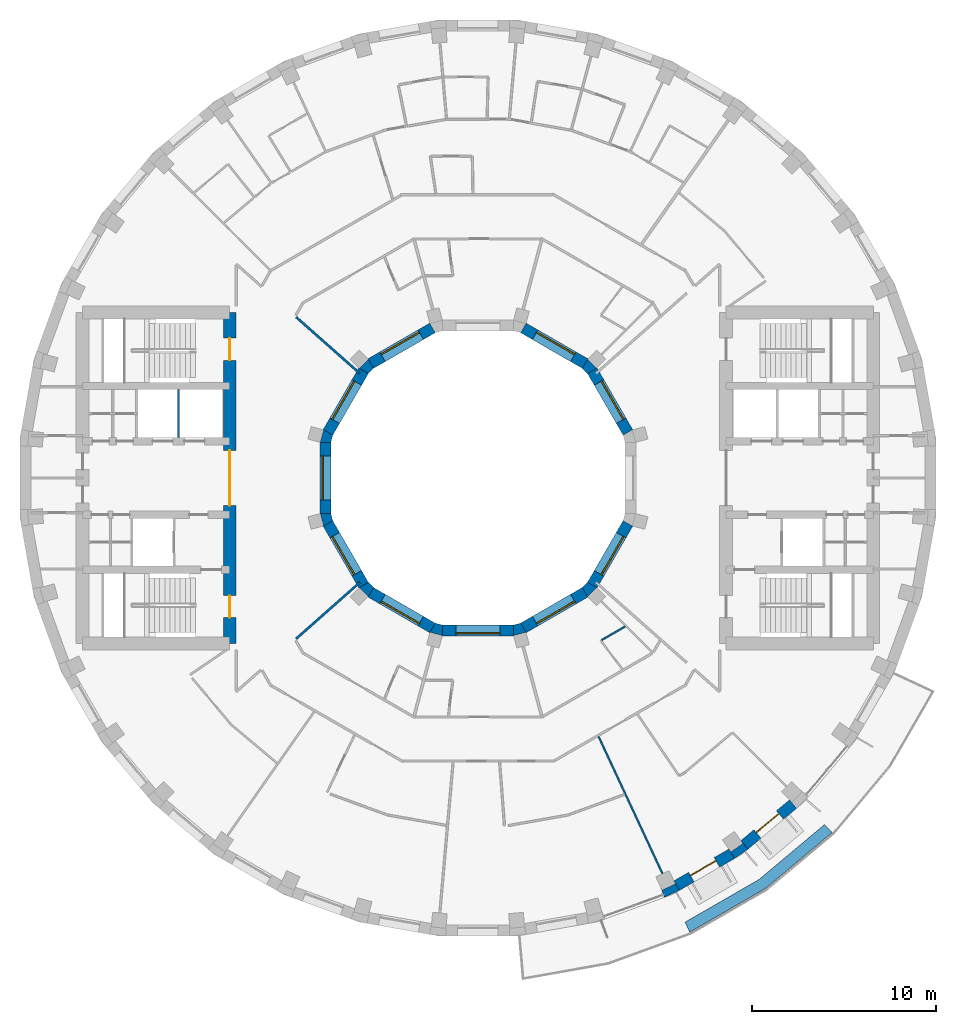
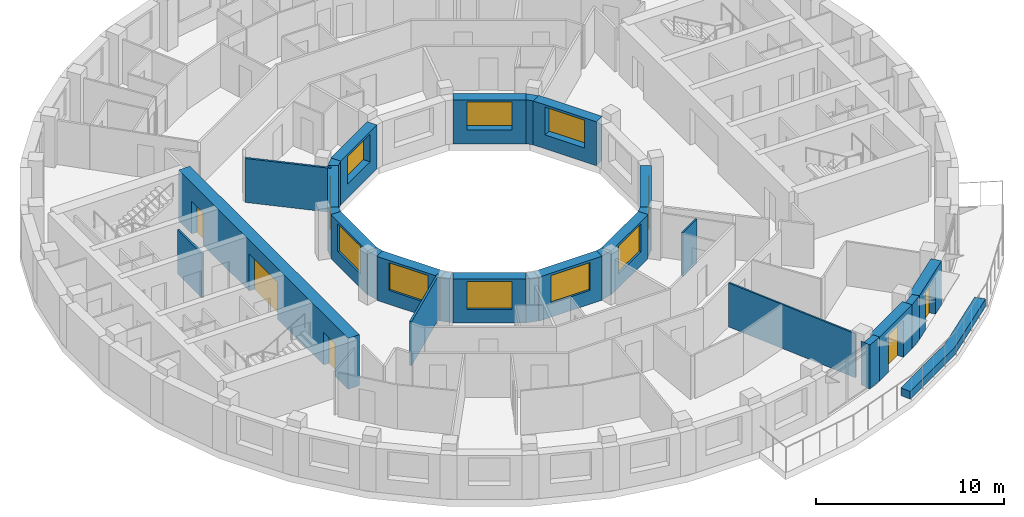
# One storey, part 8 of 15: 29 walls, 10 windows, 5 doors, 15 openings.
"""IFC4 building model written with IfcOpenShell, lengths in metres."""

from ifc_helpers import new_model, si_unit, direction, frame, frame_2d, origin, place, context, subcontext, project, spatial, polyline, rectangle, outline, extrude, material, layer, layer_set, type_object, element, fill, save


model = new_model("IFC4")

# Units and contexts
model_context = context("Model", 3, precision=1e-05, world=origin(), true_north=direction((0.0, 1.0)))
body_context = subcontext(model_context, "Body", "Model", "MODEL_VIEW")
ifc_project = project(units=[si_unit("LENGTHUNIT", "METRE"), si_unit("AREAUNIT", "SQUARE_METRE"), si_unit("VOLUMEUNIT", "CUBIC_METRE"), si_unit("PLANEANGLEUNIT", "RADIAN"), si_unit("MASSUNIT", "GRAM", prefix="KILO")], contexts=[model_context])

# Site, building, storey
site_placement = place(None, origin())
site = spatial("IfcSite", under=ifc_project, at=site_placement, CompositionType="ELEMENT")
building_placement = place(site_placement, origin())
building = spatial("IfcBuilding", under=site, at=building_placement, Name="Saqina Gate Tower", CompositionType="ELEMENT")
storey_placement = place(building_placement, frame((0.0, 0.0, 160.800048828125)))
storey = spatial("IfcBuildingStorey", under=building, at=storey_placement, Name="L45", CompositionType="ELEMENT", Elevation=160.800048828125)

# Walls
ifc_material_1 = material(Name="Brick masonry (buff)", Category="masonry")
wall_type_1 = type_object("IfcWallType", Name="BRICK PIER COPING BUFF", PredefinedType="SOLIDWALL", material=ifc_material_1)
wall_1_placement = place(storey_placement, origin())
element("IfcWall", 1, at=wall_1_placement, inside=storey, type_object=wall_type_1, Name="Pier cap L45 column 30", PredefinedType="SOLIDWALL", context=body_context, shape_type="SweptSolid", body=[
    extrude(outline(polyline([(10.958740234375, -22.4306640625), (10.65869140625, -21.9111328125), (10.73779296875, -22.080810546875), (10.0126953125, -22.4189453125), (9.93359375, -22.249267578125), (10.138916015625, -22.81298828125), (10.958740234375, -22.4306640625)])), origin(), (0.0, 0.0, 1.0), 2.849853515625),
])
wall_2_placement = place(storey_placement, origin())
element("IfcWall", 2, at=wall_2_placement, inside=storey, type_object=wall_type_1, Name="Pier cap L45 column 31", PredefinedType="SOLIDWALL", context=body_context, shape_type="SweptSolid", body=[
    extrude(outline(polyline([(13.9462890625, -20.705810546875), (14.687255859375, -20.18701171875), (14.301513671875, -19.727294921875), (14.408935546875, -19.880859375), (13.753662109375, -20.339599609375), (13.646240234375, -20.186279296875), (13.9462890625, -20.705810546875)])), origin(), (0.0, 0.0, 1.0), 2.849853515625),
])

# Wall, opening, door
ifc_material_2 = material(Name="Brick masonry (buff)", Category="masonry")
ifc_layer_1 = layer(ifc_material_2, 0.60009765625)
ifc_layer_set_1 = layer_set([ifc_layer_1], Name="FW-BRICK-BUFF")
wall_type_2 = type_object("IfcWallType", Name="FW-BRICK-BUFF", PredefinedType="SOLIDWALL", material=ifc_layer_set_1)
wall_3_placement = place(storey_placement, frame((10.80859375, -22.1708984375, 0.0), z_axis=(0.0, 0.0, 1.0), x_axis=(0.86602648383, 0.499998129301, 0.0)))
wall_3 = element("IfcWall", 3, at=wall_3_placement, inside=storey, type_object=wall_type_2, Name="Facade wall L45 facet 30", PredefinedType="SOLIDWALL", context=body_context, shape_type="SweptSolid", body=[
    extrude(rectangle(XDim=3.44970703125, YDim=0.60009765625, at=frame_2d((1.724853515625, 0.0))), origin(), (0.0, 0.0, 1.0), 2.849853515625),
])
opening_1_placement = place(wall_3_placement, frame((0.9248046875, 0.0, 0.0)))
opening_1 = element("IfcOpeningElement", 4, at=opening_1_placement, cuts=wall_3, Name="Opening G13-D80", PredefinedType="OPENING", context=body_context, shape_type="SweptSolid", body=[
    extrude(rectangle(XDim=1.60009765625, YDim=2.39990234375, at=frame_2d((0.800048828125, 1.199951171875))), frame((0.0, 0.31201171875, 0.0), z_axis=(0.0, -1.0, 0.0), x_axis=(1.0, 0.0, 0.0)), (0.0, 0.0, 1.0), 0.6240234375),
])
ifc_material_3 = material(Name="Aluminium glazing", Category="aluminium")
door_type_1 = type_object("IfcDoorType", Name="GD-C", OperationType="DOUBLE_DOOR_SINGLE_SWING", PredefinedType="DOOR", material=ifc_material_3)
door_1_placement = place(opening_1_placement, frame((1.60009765625, 0.0, 0.0), z_axis=(0.0, 0.0, 1.0), x_axis=(-1.0, 0.0, 0.0)))
door_1 = element("IfcDoor", 5, at=door_1_placement, inside=storey, type_object=door_type_1, Name="Terrace door L45 facet 30", OperationType="DOUBLE_DOOR_SINGLE_SWING", OverallHeight=2.39990234375, OverallWidth=1.60009765625, PredefinedType="DOOR", context=body_context, shape_type="SweptSolid", body=[
    extrude(rectangle(XDim=1.60009765625, YDim=2.39990234375, at=frame_2d((0.800048828125, 1.199951171875))), frame((0.0, -0.0751953125, 0.0), z_axis=(0.0, -1.0, 0.0), x_axis=(1.0, 0.0, 0.0)), (0.0, 0.0, 1.0), 0.050048828125),
])
fill(opening_1, door_1)

wall_4_placement = place(storey_placement, frame((14.494384765625, -19.95703125, 0.0), z_axis=(0.0, 0.0, 1.0), x_axis=(0.766058884809, 0.642770398358, 0.0)))
wall_4 = element("IfcWall", 6, at=wall_4_placement, inside=storey, type_object=wall_type_2, Name="Facade wall L45 facet 31", PredefinedType="SOLIDWALL", context=body_context, shape_type="SweptSolid", body=[
    extrude(rectangle(XDim=3.449462890625, YDim=0.60009765625, at=frame_2d((1.724609375, 0.0))), origin(), (0.0, 0.0, 1.0), 2.849853515625),
])
opening_2_placement = place(wall_4_placement, frame((0.9248046875, 0.0, 0.0)))
opening_2 = element("IfcOpeningElement", 7, at=opening_2_placement, cuts=wall_4, Name="Opening G13-D81", PredefinedType="OPENING", context=body_context, shape_type="SweptSolid", body=[
    extrude(rectangle(XDim=1.60009765625, YDim=2.39990234375, at=frame_2d((0.800048828125, 1.199951171875))), frame((0.0, 0.31201171875, 0.0), z_axis=(0.0, -1.0, 0.0), x_axis=(1.0, 0.0, 0.0)), (0.0, 0.0, 1.0), 0.6240234375),
])
door_2_placement = place(opening_2_placement, frame((1.60009765625, 0.0, 0.0), z_axis=(0.0, 0.0, 1.0), x_axis=(-1.0, 0.0, 0.0)))
door_2 = element("IfcDoor", 8, at=door_2_placement, inside=storey, type_object=door_type_1, Name="Terrace door L45 facet 31", OperationType="DOUBLE_DOOR_SINGLE_SWING", OverallHeight=2.39990234375, OverallWidth=1.60009765625, PredefinedType="DOOR", context=body_context, shape_type="SweptSolid", body=[
    extrude(rectangle(XDim=1.60009765625, YDim=2.39990234375, at=frame_2d((0.800048828125, 1.199951171875))), frame((0.0, -0.0751953125, 0.0), z_axis=(0.0, -1.0, 0.0), x_axis=(1.0, 0.0, 0.0)), (0.0, 0.0, 1.0), 0.050048828125),
])
fill(opening_2, door_2)

# Wall, opening, window
ifc_material_4 = material(Name="Glazed ceramic tile", Category="ceramic")
ifc_layer_2 = layer(ifc_material_4, 0.60009765625)
ifc_layer_set_2 = layer_set([ifc_layer_2], Name="IW-TILE")
wall_type_3 = type_object("IfcWallType", Name="IW-TILE", PredefinedType="SOLIDWALL", material=ifc_layer_set_2)
wall_5_placement = place(storey_placement, frame((8.155517578125, 2.474365234375, 0.0), z_axis=(0.0, 0.0, 1.0), x_axis=(-0.500033728941, 0.866005929495, 0.0)))
wall_5 = element("IfcWall", 9, at=wall_5_placement, inside=storey, type_object=wall_type_3, Name="Well wall L45 facet 1", PredefinedType="SOLIDWALL", context=body_context, shape_type="SweptSolid", body=[
    extrude(rectangle(XDim=3.869873046875, YDim=0.60009765625, at=frame_2d((1.93505859375, 0.0))), origin(), (0.0, 0.0, 1.0), 2.849853515625),
])
opening_3_placement = place(wall_5_placement, frame((0.73486328125, 0.0, 0.89990234375)))
opening_3 = element("IfcOpeningElement", 10, at=opening_3_placement, cuts=wall_5, Name="Opening G13-W23", PredefinedType="OPENING", context=body_context, shape_type="SweptSolid", body=[
    extrude(rectangle(XDim=2.39990234375, YDim=1.800048828125, at=frame_2d((1.199951171875, 0.89990234375))), frame((0.0, 0.31201171875, 0.0), z_axis=(0.0, -1.0, 0.0), x_axis=(1.0, 0.0, 0.0)), (0.0, 0.0, 1.0), 0.6240234375),
])
ifc_material_5 = material(Name="Aluminium glazing", Category="aluminium")
window_type = type_object("IfcWindowType", Name="WN-W", PartitioningType="SINGLE_PANEL", PredefinedType="WINDOW", material=ifc_material_5)
window_1_placement = place(opening_3_placement, origin())
window_1 = element("IfcWindow", 11, at=window_1_placement, inside=storey, type_object=window_type, Name="Well window L45 facet 1", OverallHeight=1.800048828125, OverallWidth=2.39990234375, PartitioningType="SINGLE_PANEL", PredefinedType="WINDOW", context=body_context, shape_type="SweptSolid", body=[
    extrude(rectangle(XDim=2.39990234375, YDim=1.800048828125, at=frame_2d((1.199951171875, 0.89990234375))), frame((0.0, -0.119873046875, 0.0), z_axis=(0.0, -1.0, 0.0), x_axis=(1.0, 0.0, 0.0)), (0.0, 0.0, 1.0), 0.06005859375),
])
fill(opening_3, window_1)

wall_6_placement = place(storey_placement, frame((5.82568359375, 6.220458984375, 0.0), z_axis=(0.0, 0.0, 1.0), x_axis=(-0.866005929495, 0.500033728941, 0.0)))
wall_6 = element("IfcWall", 12, at=wall_6_placement, inside=storey, type_object=wall_type_3, Name="Well wall L45 facet 2", PredefinedType="SOLIDWALL", context=body_context, shape_type="SweptSolid", body=[
    extrude(rectangle(XDim=3.869873046875, YDim=0.60009765625, at=frame_2d((1.93505859375, 0.0))), origin(), (0.0, 0.0, 1.0), 2.849853515625),
])
opening_4_placement = place(wall_6_placement, frame((0.73486328125, 0.0, 0.89990234375)))
opening_4 = element("IfcOpeningElement", 13, at=opening_4_placement, cuts=wall_6, Name="Opening G13-W24", PredefinedType="OPENING", context=body_context, shape_type="SweptSolid", body=[
    extrude(rectangle(XDim=2.39990234375, YDim=1.800048828125, at=frame_2d((1.199951171875, 0.89990234375))), frame((0.0, 0.31201171875, 0.0), z_axis=(0.0, -1.0, 0.0), x_axis=(1.0, 0.0, 0.0)), (0.0, 0.0, 1.0), 0.6240234375),
])
window_2_placement = place(opening_4_placement, origin())
window_2 = element("IfcWindow", 14, at=window_2_placement, inside=storey, type_object=window_type, Name="Well window L45 facet 2", OverallHeight=1.800048828125, OverallWidth=2.39990234375, PartitioningType="SINGLE_PANEL", PredefinedType="WINDOW", context=body_context, shape_type="SweptSolid", body=[
    extrude(rectangle(XDim=2.39990234375, YDim=1.800048828125, at=frame_2d((1.199951171875, 0.89990234375))), frame((0.0, -0.119873046875, 0.0), z_axis=(0.0, -1.0, 0.0), x_axis=(1.0, 0.0, 0.0)), (0.0, 0.0, 1.0), 0.06005859375),
])
fill(opening_4, window_2)

wall_7_placement = place(storey_placement, frame((-2.474365234375, 8.155517578125, 0.0), z_axis=(0.0, 0.0, 1.0), x_axis=(-0.866005929495, -0.500033728941, 0.0)))
wall_7 = element("IfcWall", 15, at=wall_7_placement, inside=storey, type_object=wall_type_3, Name="Well wall L45 facet 4", PredefinedType="SOLIDWALL", context=body_context, shape_type="SweptSolid", body=[
    extrude(rectangle(XDim=3.869873046875, YDim=0.60009765625, at=frame_2d((1.93505859375, 0.0))), origin(), (0.0, 0.0, 1.0), 2.849853515625),
])
opening_5_placement = place(wall_7_placement, frame((0.73486328125, 0.0, 0.89990234375)))
opening_5 = element("IfcOpeningElement", 16, at=opening_5_placement, cuts=wall_7, Name="Opening G13-W26", PredefinedType="OPENING", context=body_context, shape_type="SweptSolid", body=[
    extrude(rectangle(XDim=2.39990234375, YDim=1.800048828125, at=frame_2d((1.199951171875, 0.89990234375))), frame((0.0, 0.31201171875, 0.0), z_axis=(0.0, -1.0, 0.0), x_axis=(1.0, 0.0, 0.0)), (0.0, 0.0, 1.0), 0.6240234375),
])
window_3_placement = place(opening_5_placement, origin())
window_3 = element("IfcWindow", 17, at=window_3_placement, inside=storey, type_object=window_type, Name="Well window L45 facet 4", OverallHeight=1.800048828125, OverallWidth=2.39990234375, PartitioningType="SINGLE_PANEL", PredefinedType="WINDOW", context=body_context, shape_type="SweptSolid", body=[
    extrude(rectangle(XDim=2.39990234375, YDim=1.800048828125, at=frame_2d((1.199951171875, 0.89990234375))), frame((0.0, -0.119873046875, 0.0), z_axis=(0.0, -1.0, 0.0), x_axis=(1.0, 0.0, 0.0)), (0.0, 0.0, 1.0), 0.06005859375),
])
fill(opening_5, window_3)

wall_8_placement = place(storey_placement, frame((-6.220458984375, 5.82568359375, 0.0), z_axis=(0.0, 0.0, 1.0), x_axis=(-0.500033728941, -0.866005929495, 0.0)))
wall_8 = element("IfcWall", 18, at=wall_8_placement, inside=storey, type_object=wall_type_3, Name="Well wall L45 facet 5", PredefinedType="SOLIDWALL", context=body_context, shape_type="SweptSolid", body=[
    extrude(rectangle(XDim=3.869873046875, YDim=0.60009765625, at=frame_2d((1.93505859375, 0.0))), origin(), (0.0, 0.0, 1.0), 2.849853515625),
])
opening_6_placement = place(wall_8_placement, frame((0.73486328125, 0.0, 0.89990234375)))
opening_6 = element("IfcOpeningElement", 19, at=opening_6_placement, cuts=wall_8, Name="Opening G13-W27", PredefinedType="OPENING", context=body_context, shape_type="SweptSolid", body=[
    extrude(rectangle(XDim=2.39990234375, YDim=1.800048828125, at=frame_2d((1.199951171875, 0.89990234375))), frame((0.0, 0.31201171875, 0.0), z_axis=(0.0, -1.0, 0.0), x_axis=(1.0, 0.0, 0.0)), (0.0, 0.0, 1.0), 0.6240234375),
])
window_4_placement = place(opening_6_placement, origin())
window_4 = element("IfcWindow", 20, at=window_4_placement, inside=storey, type_object=window_type, Name="Well window L45 facet 5", OverallHeight=1.800048828125, OverallWidth=2.39990234375, PartitioningType="SINGLE_PANEL", PredefinedType="WINDOW", context=body_context, shape_type="SweptSolid", body=[
    extrude(rectangle(XDim=2.39990234375, YDim=1.800048828125, at=frame_2d((1.199951171875, 0.89990234375))), frame((0.0, -0.119873046875, 0.0), z_axis=(0.0, -1.0, 0.0), x_axis=(1.0, 0.0, 0.0)), (0.0, 0.0, 1.0), 0.06005859375),
])
fill(opening_6, window_4)

wall_9_placement = place(storey_placement, frame((-8.300048828125, 1.934814453125, 0.0), z_axis=(0.0, 0.0, 1.0), x_axis=(0.0, -1.0, 0.0)))
wall_9 = element("IfcWall", 21, at=wall_9_placement, inside=storey, type_object=wall_type_3, Name="Well wall L45 facet 6", PredefinedType="SOLIDWALL", context=body_context, shape_type="SweptSolid", body=[
    extrude(rectangle(XDim=3.86962890625, YDim=0.60009765625, at=frame_2d((1.934814453125, 0.0))), origin(), (0.0, 0.0, 1.0), 2.849853515625),
])
opening_7_placement = place(wall_9_placement, frame((0.73486328125, 0.0, 0.89990234375)))
opening_7 = element("IfcOpeningElement", 22, at=opening_7_placement, cuts=wall_9, Name="Opening G13-W28", PredefinedType="OPENING", context=body_context, shape_type="SweptSolid", body=[
    extrude(rectangle(XDim=2.39990234375, YDim=1.800048828125, at=frame_2d((1.199951171875, 0.89990234375))), frame((0.0, 0.31201171875, 0.0), z_axis=(0.0, -1.0, 0.0), x_axis=(1.0, 0.0, 0.0)), (0.0, 0.0, 1.0), 0.6240234375),
])
window_5_placement = place(opening_7_placement, origin())
window_5 = element("IfcWindow", 23, at=window_5_placement, inside=storey, type_object=window_type, Name="Well window L45 facet 6", OverallHeight=1.800048828125, OverallWidth=2.39990234375, PartitioningType="SINGLE_PANEL", PredefinedType="WINDOW", context=body_context, shape_type="SweptSolid", body=[
    extrude(rectangle(XDim=2.39990234375, YDim=1.800048828125, at=frame_2d((1.199951171875, 0.89990234375))), frame((0.0, -0.119873046875, 0.0), z_axis=(0.0, -1.0, 0.0), x_axis=(1.0, 0.0, 0.0)), (0.0, 0.0, 1.0), 0.06005859375),
])
fill(opening_7, window_5)

wall_10_placement = place(storey_placement, frame((-8.155517578125, -2.474365234375, 0.0), z_axis=(0.0, 0.0, 1.0), x_axis=(0.500033728941, -0.866005929495, 0.0)))
wall_10 = element("IfcWall", 24, at=wall_10_placement, inside=storey, type_object=wall_type_3, Name="Well wall L45 facet 7", PredefinedType="SOLIDWALL", context=body_context, shape_type="SweptSolid", body=[
    extrude(rectangle(XDim=3.869873046875, YDim=0.60009765625, at=frame_2d((1.93505859375, 0.0))), origin(), (0.0, 0.0, 1.0), 2.849853515625),
])
opening_8_placement = place(wall_10_placement, frame((0.73486328125, 0.0, 0.89990234375)))
opening_8 = element("IfcOpeningElement", 25, at=opening_8_placement, cuts=wall_10, Name="Opening G13-W29", PredefinedType="OPENING", context=body_context, shape_type="SweptSolid", body=[
    extrude(rectangle(XDim=2.39990234375, YDim=1.800048828125, at=frame_2d((1.199951171875, 0.89990234375))), frame((0.0, 0.31201171875, 0.0), z_axis=(0.0, -1.0, 0.0), x_axis=(1.0, 0.0, 0.0)), (0.0, 0.0, 1.0), 0.6240234375),
])
window_6_placement = place(opening_8_placement, origin())
window_6 = element("IfcWindow", 26, at=window_6_placement, inside=storey, type_object=window_type, Name="Well window L45 facet 7", OverallHeight=1.800048828125, OverallWidth=2.39990234375, PartitioningType="SINGLE_PANEL", PredefinedType="WINDOW", context=body_context, shape_type="SweptSolid", body=[
    extrude(rectangle(XDim=2.39990234375, YDim=1.800048828125, at=frame_2d((1.199951171875, 0.89990234375))), frame((0.0, -0.119873046875, 0.0), z_axis=(0.0, -1.0, 0.0), x_axis=(1.0, 0.0, 0.0)), (0.0, 0.0, 1.0), 0.06005859375),
])
fill(opening_8, window_6)

wall_11_placement = place(storey_placement, frame((-5.82568359375, -6.220458984375, 0.0), z_axis=(0.0, 0.0, 1.0), x_axis=(0.866005929495, -0.500033728941, 0.0)))
wall_11 = element("IfcWall", 27, at=wall_11_placement, inside=storey, type_object=wall_type_3, Name="Well wall L45 facet 8", PredefinedType="SOLIDWALL", context=body_context, shape_type="SweptSolid", body=[
    extrude(rectangle(XDim=3.869873046875, YDim=0.60009765625, at=frame_2d((1.93505859375, 0.0))), origin(), (0.0, 0.0, 1.0), 2.849853515625),
])
opening_9_placement = place(wall_11_placement, frame((0.73486328125, 0.0, 0.89990234375)))
opening_9 = element("IfcOpeningElement", 28, at=opening_9_placement, cuts=wall_11, Name="Opening G13-W30", PredefinedType="OPENING", context=body_context, shape_type="SweptSolid", body=[
    extrude(rectangle(XDim=2.39990234375, YDim=1.800048828125, at=frame_2d((1.199951171875, 0.89990234375))), frame((0.0, 0.31201171875, 0.0), z_axis=(0.0, -1.0, 0.0), x_axis=(1.0, 0.0, 0.0)), (0.0, 0.0, 1.0), 0.6240234375),
])
window_7_placement = place(opening_9_placement, origin())
window_7 = element("IfcWindow", 29, at=window_7_placement, inside=storey, type_object=window_type, Name="Well window L45 facet 8", OverallHeight=1.800048828125, OverallWidth=2.39990234375, PartitioningType="SINGLE_PANEL", PredefinedType="WINDOW", context=body_context, shape_type="SweptSolid", body=[
    extrude(rectangle(XDim=2.39990234375, YDim=1.800048828125, at=frame_2d((1.199951171875, 0.89990234375))), frame((0.0, -0.119873046875, 0.0), z_axis=(0.0, -1.0, 0.0), x_axis=(1.0, 0.0, 0.0)), (0.0, 0.0, 1.0), 0.06005859375),
])
fill(opening_9, window_7)

wall_12_placement = place(storey_placement, frame((-1.934814453125, -8.300048828125, 0.0), z_axis=(0.0, 0.0, 1.0), x_axis=(1.0, 0.0, 0.0)))
wall_12 = element("IfcWall", 30, at=wall_12_placement, inside=storey, type_object=wall_type_3, Name="Well wall L45 facet 9", PredefinedType="SOLIDWALL", context=body_context, shape_type="SweptSolid", body=[
    extrude(rectangle(XDim=3.86962890625, YDim=0.60009765625, at=frame_2d((1.934814453125, 0.0))), origin(), (0.0, 0.0, 1.0), 2.849853515625),
])
opening_10_placement = place(wall_12_placement, frame((0.73486328125, 0.0, 0.89990234375)))
opening_10 = element("IfcOpeningElement", 31, at=opening_10_placement, cuts=wall_12, Name="Opening G13-W31", PredefinedType="OPENING", context=body_context, shape_type="SweptSolid", body=[
    extrude(rectangle(XDim=2.39990234375, YDim=1.800048828125, at=frame_2d((1.199951171875, 0.89990234375))), frame((0.0, 0.31201171875, 0.0), z_axis=(0.0, -1.0, 0.0), x_axis=(1.0, 0.0, 0.0)), (0.0, 0.0, 1.0), 0.6240234375),
])
window_8_placement = place(opening_10_placement, origin())
window_8 = element("IfcWindow", 32, at=window_8_placement, inside=storey, type_object=window_type, Name="Well window L45 facet 9", OverallHeight=1.800048828125, OverallWidth=2.39990234375, PartitioningType="SINGLE_PANEL", PredefinedType="WINDOW", context=body_context, shape_type="SweptSolid", body=[
    extrude(rectangle(XDim=2.39990234375, YDim=1.800048828125, at=frame_2d((1.199951171875, 0.89990234375))), frame((0.0, -0.119873046875, 0.0), z_axis=(0.0, -1.0, 0.0), x_axis=(1.0, 0.0, 0.0)), (0.0, 0.0, 1.0), 0.06005859375),
])
fill(opening_10, window_8)

wall_13_placement = place(storey_placement, frame((2.474365234375, -8.155517578125, 0.0), z_axis=(0.0, 0.0, 1.0), x_axis=(0.866005929495, 0.500033728941, 0.0)))
wall_13 = element("IfcWall", 33, at=wall_13_placement, inside=storey, type_object=wall_type_3, Name="Well wall L45 facet 10", PredefinedType="SOLIDWALL", context=body_context, shape_type="SweptSolid", body=[
    extrude(rectangle(XDim=3.869873046875, YDim=0.60009765625, at=frame_2d((1.93505859375, 0.0))), origin(), (0.0, 0.0, 1.0), 2.849853515625),
])
opening_11_placement = place(wall_13_placement, frame((0.73486328125, 0.0, 0.89990234375)))
opening_11 = element("IfcOpeningElement", 34, at=opening_11_placement, cuts=wall_13, Name="Opening G13-W32", PredefinedType="OPENING", context=body_context, shape_type="SweptSolid", body=[
    extrude(rectangle(XDim=2.39990234375, YDim=1.800048828125, at=frame_2d((1.199951171875, 0.89990234375))), frame((0.0, 0.31201171875, 0.0), z_axis=(0.0, -1.0, 0.0), x_axis=(1.0, 0.0, 0.0)), (0.0, 0.0, 1.0), 0.6240234375),
])
window_9_placement = place(opening_11_placement, origin())
window_9 = element("IfcWindow", 35, at=window_9_placement, inside=storey, type_object=window_type, Name="Well window L45 facet 10", OverallHeight=1.800048828125, OverallWidth=2.39990234375, PartitioningType="SINGLE_PANEL", PredefinedType="WINDOW", context=body_context, shape_type="SweptSolid", body=[
    extrude(rectangle(XDim=2.39990234375, YDim=1.800048828125, at=frame_2d((1.199951171875, 0.89990234375))), frame((0.0, -0.119873046875, 0.0), z_axis=(0.0, -1.0, 0.0), x_axis=(1.0, 0.0, 0.0)), (0.0, 0.0, 1.0), 0.06005859375),
])
fill(opening_11, window_9)

wall_14_placement = place(storey_placement, frame((6.220458984375, -5.82568359375, 0.0), z_axis=(0.0, 0.0, 1.0), x_axis=(0.500033728941, 0.866005929495, 0.0)))
wall_14 = element("IfcWall", 36, at=wall_14_placement, inside=storey, type_object=wall_type_3, Name="Well wall L45 facet 11", PredefinedType="SOLIDWALL", context=body_context, shape_type="SweptSolid", body=[
    extrude(rectangle(XDim=3.869873046875, YDim=0.60009765625, at=frame_2d((1.93505859375, 0.0))), origin(), (0.0, 0.0, 1.0), 2.849853515625),
])
opening_12_placement = place(wall_14_placement, frame((0.73486328125, 0.0, 0.89990234375)))
opening_12 = element("IfcOpeningElement", 37, at=opening_12_placement, cuts=wall_14, Name="Opening G13-W33", PredefinedType="OPENING", context=body_context, shape_type="SweptSolid", body=[
    extrude(rectangle(XDim=2.39990234375, YDim=1.800048828125, at=frame_2d((1.199951171875, 0.89990234375))), frame((0.0, 0.31201171875, 0.0), z_axis=(0.0, -1.0, 0.0), x_axis=(1.0, 0.0, 0.0)), (0.0, 0.0, 1.0), 0.6240234375),
])
window_10_placement = place(opening_12_placement, origin())
window_10 = element("IfcWindow", 38, at=window_10_placement, inside=storey, type_object=window_type, Name="Well window L45 facet 11", OverallHeight=1.800048828125, OverallWidth=2.39990234375, PartitioningType="SINGLE_PANEL", PredefinedType="WINDOW", context=body_context, shape_type="SweptSolid", body=[
    extrude(rectangle(XDim=2.39990234375, YDim=1.800048828125, at=frame_2d((1.199951171875, 0.89990234375))), frame((0.0, -0.119873046875, 0.0), z_axis=(0.0, -1.0, 0.0), x_axis=(1.0, 0.0, 0.0)), (0.0, 0.0, 1.0), 0.06005859375),
])
fill(opening_12, window_10)

# Walls
ifc_material_6 = material(Name="Gypsum board on steel studs, 100 mm", Category="steel")
ifc_layer_3 = layer(ifc_material_6, 0.10009765625)
ifc_layer_set_3 = layer_set([ifc_layer_3], Name="PARTITION 100")
wall_type_4 = type_object("IfcWallType", Name="PARTITION 100", PredefinedType="PARTITIONING", material=ifc_layer_set_3)
wall_15_placement = place(storey_placement, frame((6.56201171875, -14.06640625, 0.0), z_axis=(0.0, 0.0, 1.0), x_axis=(0.422374740617, -0.906421302976, 0.0)))
element("IfcWall", 39, at=wall_15_placement, inside=storey, type_object=wall_type_4, Name="PARTITION PW3-10", PredefinedType="PARTITIONING", context=body_context, shape_type="SweptSolid", body=[
    extrude(rectangle(XDim=8.21826171875, YDim=0.10009765625, at=frame_2d((4.109130859375, 0.0))), origin(), (0.0, 0.0, 1.0), 2.849853515625),
])
wall_16_placement = place(storey_placement, frame((6.724365234375, -8.819091796875, 0.0), z_axis=(0.0, 0.0, 1.0), x_axis=(0.866292397233, 0.499537268376, 0.0)))
element("IfcWall", 40, at=wall_16_placement, inside=storey, type_object=wall_type_4, Name="PARTITION PW3-43", PredefinedType="PARTITIONING", context=body_context, shape_type="SweptSolid", body=[
    extrude(rectangle(XDim=1.48388671875, YDim=0.10009765625, at=frame_2d((0.741943359375, 0.0))), origin(), (0.0, 0.0, 1.0), 2.849853515625),
])
ifc_material_7 = material(Name="Gypsum board on steel studs, 125 mm, fire rated", Category="steel")
ifc_layer_4 = layer(ifc_material_7, 0.125)
ifc_layer_set_4 = layer_set([ifc_layer_4], Name="PARTITION EI 30 125")
wall_type_5 = type_object("IfcWallType", Name="PARTITION EI 30 125", PredefinedType="PARTITIONING", material=ifc_layer_set_4)
for number, where, z_axis, x_axis, name in (
    (41, (-9.89111328125, 8.750732421875, 0.0), (0.0, 0.0, 1.0), (0.748982485585, -0.662589794886, 0.0), "PARTITION PW1-07"),
    (42, (-9.89111328125, -8.750732421875, 0.0), (0.0, 0.0, 1.0), (0.748982485585, 0.662589794886, 0.0), "PARTITION PW1-31"),
):
    element("IfcWall", number, at=place(storey_placement, frame(where, z_axis=z_axis, x_axis=x_axis)), inside=storey, type_object=wall_type_5, Name=name, PredefinedType="PARTITIONING", context=body_context, shape_type="SweptSolid", body=[
        extrude(rectangle(XDim=4.634521484375, YDim=0.125, at=frame_2d((2.3173828125, 0.0))), origin(), (0.0, 0.0, 1.0), 2.849853515625),
    ])
ifc_material_8 = material(Name="Brick masonry (red)", Category="masonry")
ifc_layer_5 = layer(ifc_material_8, 0.60009765625)
ifc_layer_set_5 = layer_set([ifc_layer_5], Name="PL-PLANTER")
wall_type_6 = type_object("IfcWallType", Name="PL-PLANTER", PredefinedType="PARAPET", material=ifc_layer_set_5)
wall_17_placement = place(storey_placement, origin())
element("IfcWall", 43, at=wall_17_placement, inside=storey, type_object=wall_type_6, Name="Planter L45", PredefinedType="PARAPET", context=body_context, shape_type="SweptSolid", body=[
    extrude(outline(polyline([(11.52001953125, -24.70458984375), (15.635009765625, -22.328857421875), (19.274658203125, -19.274658203125), (18.848876953125, -18.848876953125), (15.289306640625, -21.835693359375), (11.265380859375, -24.15869140625), (11.52001953125, -24.70458984375)])), origin(), (0.0, 0.0, 1.0), 0.5),
])
ifc_material_9 = material(Name="Autoclaved aerated concrete block", Category="concrete")
ifc_layer_6 = layer(ifc_material_9, 0.1201171875)
ifc_layer_set_6 = layer_set([ifc_layer_6], Name="SHAFT PARTITION")
wall_type_7 = type_object("IfcWallType", Name="SHAFT PARTITION", PredefinedType="PARTITIONING", material=ifc_layer_set_6)
wall_18_placement = place(storey_placement, frame((-16.280029296875, 2.199951171875, 0.0), z_axis=(0.0, 0.0, 1.0), x_axis=(0.0, 1.0, 0.0)))
element("IfcWall", 44, at=wall_18_placement, inside=storey, type_object=wall_type_7, Name="L45-CP-W06", PredefinedType="PARTITIONING", context=body_context, shape_type="SweptSolid", body=[
    extrude(rectangle(XDim=2.60009765625, YDim=0.1201171875, at=frame_2d((1.300048828125, 0.0))), origin(), (0.0, 0.0, 1.0), 2.849853515625),
])

# Wall, openings, doors
ifc_material_10 = material(Name="Concrete C60/75", Category="concrete")
ifc_layer_7 = layer(ifc_material_10, 0.699951171875)
ifc_layer_set_7 = layer_set([ifc_layer_7], Name="Concrete C60/75")
wall_type_8 = type_object("IfcWallType", Name="STR-CORE WALL-C-O", PredefinedType="SHEAR", material=ifc_layer_set_7)
wall_19_placement = place(storey_placement, frame((-13.5, -9.0, 0.0), z_axis=(0.0, 0.0, 1.0), x_axis=(0.0, 1.0, 0.0)))
wall_19 = element("IfcWall", 45, at=wall_19_placement, inside=storey, type_object=wall_type_8, Name="CORE WALL L45 W-W1", PredefinedType="SHEAR", context=body_context, shape_type="SweptSolid", body=[
    extrude(rectangle(XDim=18.0, YDim=0.699951171875, at=frame_2d((9.0, 0.0))), origin(), (0.0, 0.0, 1.0), 3.300048828125),
])
opening_13_placement = place(wall_19_placement, frame((15.39990234375, 0.0, 0.0)))
opening_13 = element("IfcOpeningElement", 46, at=opening_13_placement, cuts=wall_19, Name="Opening G13-D121", PredefinedType="OPENING", context=body_context, shape_type="SweptSolid", body=[
    extrude(rectangle(XDim=1.199951171875, YDim=2.10009765625, at=frame_2d((0.60009765625, 1.050048828125))), frame((0.0, 0.362060546875, 0.0), z_axis=(0.0, -1.0, 0.0), x_axis=(1.0, 0.0, 0.0)), (0.0, 0.0, 1.0), 0.723876953125),
])
opening_14_placement = place(wall_19_placement, frame((1.39990234375, 0.0, 0.0)))
opening_14 = element("IfcOpeningElement", 47, at=opening_14_placement, cuts=wall_19, Name="Opening G13-D122", PredefinedType="OPENING", context=body_context, shape_type="SweptSolid", body=[
    extrude(rectangle(XDim=1.199951171875, YDim=2.10009765625, at=frame_2d((0.60009765625, 1.050048828125))), frame((0.0, 0.362060546875, 0.0), z_axis=(0.0, -1.0, 0.0), x_axis=(1.0, 0.0, 0.0)), (0.0, 0.0, 1.0), 0.723876953125),
])
opening_15_placement = place(wall_19_placement, frame((7.5, 0.0, 0.0)))
opening_15 = element("IfcOpeningElement", 48, at=opening_15_placement, cuts=wall_19, Name="Opening G13-D123", PredefinedType="OPENING", context=body_context, shape_type="SweptSolid", body=[
    extrude(rectangle(XDim=3.0, YDim=2.39990234375, at=frame_2d((1.5, 1.199951171875))), frame((0.0, 0.362060546875, 0.0), z_axis=(0.0, -1.0, 0.0), x_axis=(1.0, 0.0, 0.0)), (0.0, 0.0, 1.0), 0.723876953125),
])
ifc_material_11 = material(Name="Steel", Category="steel")
door_type_2 = type_object("IfcDoorType", Name="FIRE DOOR EI 60", OperationType="SINGLE_SWING_LEFT", PredefinedType="DOOR", material=ifc_material_11)
door_3_placement = place(opening_13_placement, origin())
door_3 = element("IfcDoor", 49, at=door_3_placement, inside=storey, type_object=door_type_2, Name="L45-CD-W32", OperationType="SINGLE_SWING_RIGHT", OverallHeight=2.10009765625, OverallWidth=1.199951171875, PredefinedType="DOOR", context=body_context, shape_type="SweptSolid", body=[
    extrude(rectangle(XDim=1.199951171875, YDim=2.10009765625, at=frame_2d((0.60009765625, 1.050048828125))), frame((0.0, 0.02490234375, 0.0), z_axis=(0.0, -1.0, 0.0), x_axis=(1.0, 0.0, 0.0)), (0.0, 0.0, 1.0), 0.050048828125),
])
fill(opening_13, door_3)
door_4_placement = place(opening_14_placement, origin())
door_4 = element("IfcDoor", 50, at=door_4_placement, inside=storey, type_object=door_type_2, Name="L45-CD-W33", OperationType="SINGLE_SWING_LEFT", OverallHeight=2.10009765625, OverallWidth=1.199951171875, PredefinedType="DOOR", context=body_context, shape_type="SweptSolid", body=[
    extrude(rectangle(XDim=1.199951171875, YDim=2.10009765625, at=frame_2d((0.60009765625, 1.050048828125))), frame((0.0, 0.02490234375, 0.0), z_axis=(0.0, -1.0, 0.0), x_axis=(1.0, 0.0, 0.0)), (0.0, 0.0, 1.0), 0.050048828125),
])
fill(opening_14, door_4)
ifc_material_12 = material(Name="Steel and fire-resisting glass", Category="steel")
door_type_3 = type_object("IfcDoorType", Name="LOBBY SCREEN DOOR", OperationType="DOUBLE_DOOR_SLIDING", PredefinedType="DOOR", material=ifc_material_12)
door_5_placement = place(opening_15_placement, origin())
door_5 = element("IfcDoor", 51, at=door_5_placement, inside=storey, type_object=door_type_3, Name="L45-CD-W34", OperationType="DOUBLE_DOOR_SLIDING", OverallHeight=2.39990234375, OverallWidth=3.0, PredefinedType="DOOR", context=body_context, shape_type="SweptSolid", body=[
    extrude(rectangle(XDim=3.0, YDim=2.39990234375, at=frame_2d((1.5, 1.199951171875))), frame((0.0, 0.02490234375, 0.0), z_axis=(0.0, -1.0, 0.0), x_axis=(1.0, 0.0, 0.0)), (0.0, 0.0, 1.0), 0.050048828125),
])
fill(opening_15, door_5)

# Walls
ifc_material_13 = material(Name="Glazed ceramic tile", Category="ceramic")
wall_type_9 = type_object("IfcWallType", Name="TILE PIER COPING", PredefinedType="SOLIDWALL", material=ifc_material_13)
wall_20_placement = place(storey_placement, origin())
element("IfcWall", 52, at=wall_20_placement, inside=storey, type_object=wall_type_9, Name="Well pier cap L45 column 2", PredefinedType="SOLIDWALL", context=body_context, shape_type="SweptSolid", body=[
    extrude(outline(polyline([(5.96240234375, 6.45751953125), (5.67578125, 5.960693359375), (5.960693359375, 5.67578125), (6.45751953125, 5.96240234375), (5.96240234375, 6.45751953125)])), origin(), (0.0, 0.0, 1.0), 2.849853515625),
])
wall_21_placement = place(storey_placement, origin())
element("IfcWall", 53, at=wall_21_placement, inside=storey, type_object=wall_type_9, Name="Well pier cap L45 column 5", PredefinedType="SOLIDWALL", context=body_context, shape_type="SweptSolid", body=[
    extrude(outline(polyline([(-6.45751953125, 5.96240234375), (-5.960693359375, 5.67578125), (-5.67578125, 5.960693359375), (-5.96240234375, 6.45751953125), (-6.45751953125, 5.96240234375)])), origin(), (0.0, 0.0, 1.0), 2.849853515625),
])
wall_22_placement = place(storey_placement, origin())
element("IfcWall", 54, at=wall_22_placement, inside=storey, type_object=wall_type_9, Name="Well pier cap L45 column 6", PredefinedType="SOLIDWALL", context=body_context, shape_type="SweptSolid", body=[
    extrude(outline(polyline([(-8.573486328125, 1.934814453125), (-8.0, 1.934814453125), (-7.895751953125, 2.32421875), (-8.392333984375, 2.611083984375), (-8.573486328125, 1.934814453125)])), origin(), (0.0, 0.0, 1.0), 2.849853515625),
])
wall_23_placement = place(storey_placement, origin())
element("IfcWall", 55, at=wall_23_placement, inside=storey, type_object=wall_type_9, Name="Well pier cap L45 column 7", PredefinedType="SOLIDWALL", context=body_context, shape_type="SweptSolid", body=[
    extrude(outline(polyline([(-8.0, -1.934814453125), (-8.573486328125, -1.934814453125), (-8.392333984375, -2.611083984375), (-7.895751953125, -2.32421875), (-8.0, -1.934814453125)])), origin(), (0.0, 0.0, 1.0), 2.849853515625),
])
wall_24_placement = place(storey_placement, origin())
element("IfcWall", 56, at=wall_24_placement, inside=storey, type_object=wall_type_9, Name="Well pier cap L45 column 8", PredefinedType="SOLIDWALL", context=body_context, shape_type="SweptSolid", body=[
    extrude(outline(polyline([(-6.45751953125, -5.96240234375), (-5.96240234375, -6.45751953125), (-5.67578125, -5.960693359375), (-5.960693359375, -5.67578125), (-6.45751953125, -5.96240234375)])), origin(), (0.0, 0.0, 1.0), 2.849853515625),
])
wall_25_placement = place(storey_placement, origin())
element("IfcWall", 57, at=wall_25_placement, inside=storey, type_object=wall_type_9, Name="Well pier cap L45 column 9", PredefinedType="SOLIDWALL", context=body_context, shape_type="SweptSolid", body=[
    extrude(outline(polyline([(-1.934814453125, -8.573486328125), (-1.934814453125, -8.0), (-2.32421875, -7.895751953125), (-2.611083984375, -8.392333984375), (-1.934814453125, -8.573486328125)])), origin(), (0.0, 0.0, 1.0), 2.849853515625),
])
wall_26_placement = place(storey_placement, origin())
element("IfcWall", 58, at=wall_26_placement, inside=storey, type_object=wall_type_9, Name="Well pier cap L45 column 10", PredefinedType="SOLIDWALL", context=body_context, shape_type="SweptSolid", body=[
    extrude(outline(polyline([(2.611083984375, -8.392333984375), (2.32421875, -7.895751953125), (1.934814453125, -8.0), (1.934814453125, -8.573486328125), (2.611083984375, -8.392333984375)])), origin(), (0.0, 0.0, 1.0), 2.849853515625),
])
wall_27_placement = place(storey_placement, origin())
element("IfcWall", 59, at=wall_27_placement, inside=storey, type_object=wall_type_9, Name="Well pier cap L45 column 11", PredefinedType="SOLIDWALL", context=body_context, shape_type="SweptSolid", body=[
    extrude(outline(polyline([(5.96240234375, -6.45751953125), (6.45751953125, -5.96240234375), (5.960693359375, -5.67578125), (5.67578125, -5.960693359375), (5.96240234375, -6.45751953125)])), origin(), (0.0, 0.0, 1.0), 2.849853515625),
])

save(model, "model.ifc")
